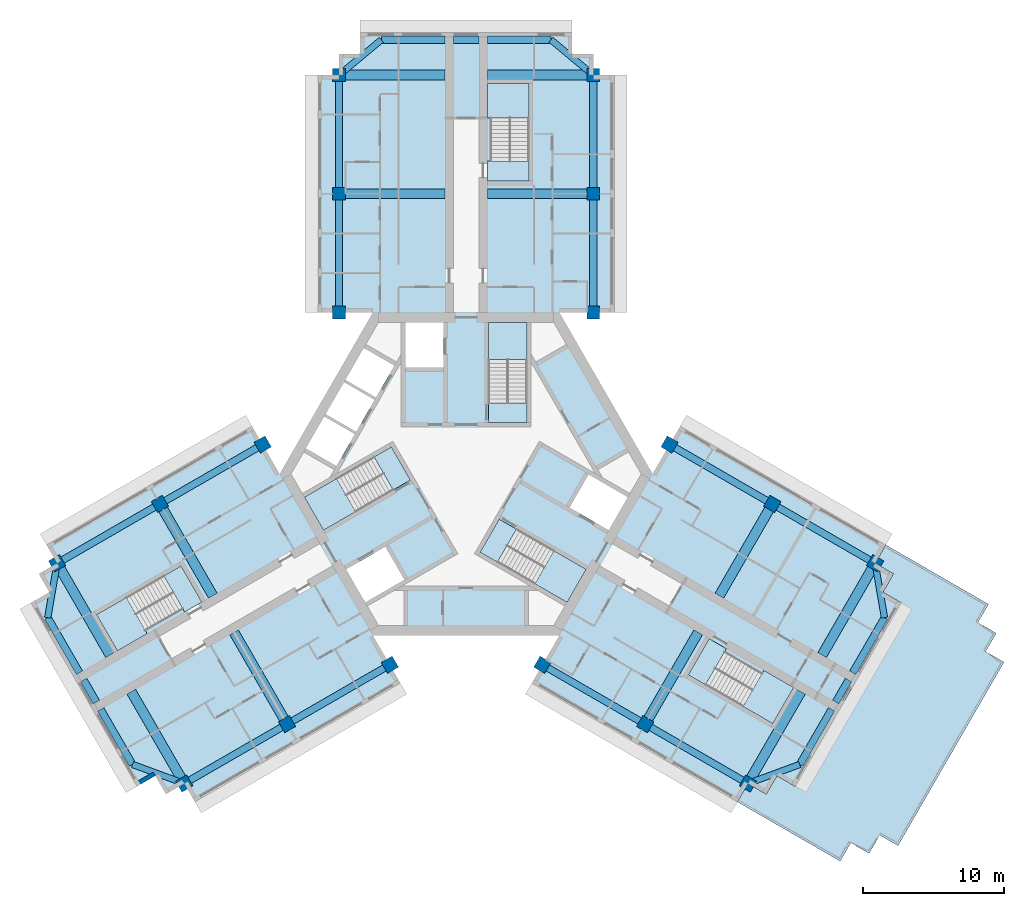
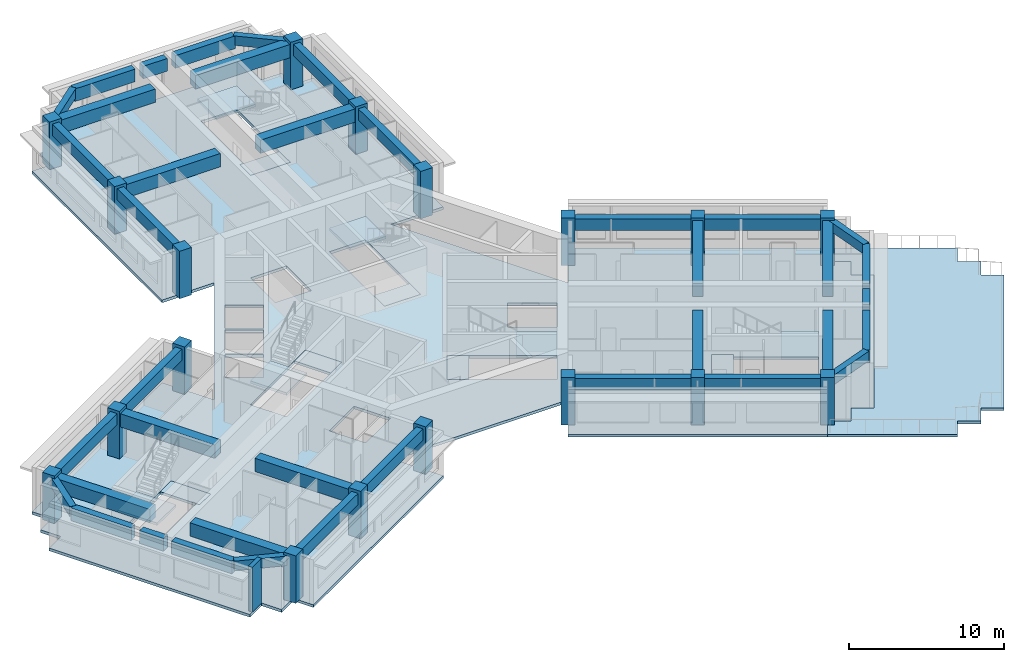
# One storey, part 1 of 11: 39 beams, 18 columns, 14 slabs, 1 wall, 6 elements without a shape of their own.
"""IFC4 building model written with IfcOpenShell, lengths in metres."""

from ifc_helpers import new_model, si_unit, direction, frame, frame_2d, origin, origin_2d, place, context, subcontext, project, spatial, polyline, rectangle, outline, extrude, material, layer, layer_set, material_profile, profile_set, type_object, element, aggregate, save


model = new_model("IFC4")

# Units and contexts
model_context = context("Model", 3, precision=1e-05, world=origin(), true_north=direction((0.0, 1.0)))
body_context = subcontext(model_context, "Body", "Model", "MODEL_VIEW")
ifc_project = project(units=[si_unit("LENGTHUNIT", "METRE"), si_unit("AREAUNIT", "SQUARE_METRE"), si_unit("VOLUMEUNIT", "CUBIC_METRE"), si_unit("PLANEANGLEUNIT", "RADIAN"), si_unit("MASSUNIT", "GRAM", prefix="KILO")], contexts=[model_context])

# Site, building, storey
site_placement = place(None, origin())
site = spatial("IfcSite", under=ifc_project, at=site_placement, CompositionType="ELEMENT")
building_placement = place(site_placement, origin())
building = spatial("IfcBuilding", under=site, at=building_placement, Name="Impinga Residences", CompositionType="ELEMENT")
storey_placement = place(building_placement, frame((0.0, 0.0, 248.5)))
storey = spatial("IfcBuildingStorey", under=building, at=storey_placement, Name="L62", CompositionType="ELEMENT", Elevation=248.5)

# Columns
ifc_material_1 = material(Name="Concrete C60/75", Category="concrete")
ifc_material_profile_1 = material_profile(ifc_material_1, rectangle(XDim=0.89990234375, YDim=0.89990234375, at=origin_2d()), Name="RC 900x900")
ifc_profile_set_1 = profile_set([ifc_material_profile_1], Name="Concrete C60/75")
column_type = type_object("IfcColumnType", Name="C4 900x900 column", PredefinedType="COLUMN", material=ifc_profile_set_1)
for number, where, z_axis, x_axis, name in (
    (1, (-9.0, 11.431640625, 0.0), (0.0, 0.0, 1.0), (1.0, 0.0, 0.0), "Column C4 N1/NA L62"),
    (2, (9.0, 11.431640625, 0.0), (0.0, 0.0, 1.0), (1.0, 0.0, 0.0), "Column C4 N1/NF L62"),
    (3, (-9.0, 19.83154296875, 0.0), (0.0, 0.0, 1.0), (1.0, 0.0, 0.0), "Column C4 N2/NA L62"),
    (4, (9.0, 19.83154296875, 0.0), (0.0, 0.0, 1.0), (1.0, 0.0, 0.0), "Column C4 N2/NF L62"),
    (5, (-9.0, 28.2314453125, 0.0), (0.0, 0.0, 1.0), (1.0, 0.0, 0.0), "Column C4 N3/NA L62"),
    (6, (9.0, 28.2314453125, 0.0), (0.0, 0.0, 1.0), (1.0, 0.0, 0.0), "Column C4 N3/NF L62"),
    (7, (-5.39990234375, -13.510009765625, 0.0), (0.0, 0.0, 1.0), (-0.5, 0.866025403784, 0.0), "Column C4 W1/WA L62"),
    (8, (-14.39990234375, 2.078369140625, 0.0), (0.0, 0.0, 1.0), (-0.5, 0.866025403784, 0.0), "Column C4 W1/WF L62"),
    (9, (-12.674560546875, -17.7099609375, 0.0), (0.0, 0.0, 1.0), (-0.5, 0.866025403784, 0.0), "Column C4 W2/WA L62"),
    (10, (-21.674560546875, -2.12158203125, 0.0), (0.0, 0.0, 1.0), (-0.5, 0.866025403784, 0.0), "Column C4 W2/WF L62"),
    (11, (-19.94921875, -21.909912109375, 0.0), (0.0, 0.0, 1.0), (-0.5, 0.866025403784, 0.0), "Column C4 W3/WA L62"),
    (12, (-28.94921875, -6.321533203125, 0.0), (0.0, 0.0, 1.0), (-0.5, 0.866025403784, 0.0), "Column C4 W3/WF L62"),
    (13, (14.39990234375, 2.078369140625, 0.0), (0.0, 0.0, 1.0), (-0.5, -0.866025403784, 0.0), "Column C4 E1/EA L62"),
    (14, (5.39990234375, -13.510009765625, 0.0), (0.0, 0.0, 1.0), (-0.5, -0.866025403784, 0.0), "Column C4 E1/EF L62"),
    (15, (21.674560546875, -2.12158203125, 0.0), (0.0, 0.0, 1.0), (-0.5, -0.866025403784, 0.0), "Column C4 E2/EA L62"),
    (16, (12.674560546875, -17.7099609375, 0.0), (0.0, 0.0, 1.0), (-0.5, -0.866025403784, 0.0), "Column C4 E2/EF L62"),
    (17, (28.94921875, -6.321533203125, 0.0), (0.0, 0.0, 1.0), (-0.5, -0.866025403784, 0.0), "Column C4 E3/EA L62"),
    (18, (19.94921875, -21.909912109375, 0.0), (0.0, 0.0, 1.0), (-0.5, -0.866025403784, 0.0), "Column C4 E3/EF L62"),
):
    element("IfcColumn", number, at=place(storey_placement, frame(where, z_axis=z_axis, x_axis=x_axis)), inside=storey, type_object=column_type, Name=name, PredefinedType="COLUMN", context=body_context, shape_type="SweptSolid", body=[
        extrude(rectangle(XDim=0.89990234375, YDim=0.89990234375, at=origin_2d()), origin(), (0.0, 0.0, 1.0), 3.75),
    ])

# Beams
ifc_material_profile_2 = material_profile(ifc_material_1, rectangle(XDim=0.449951171875, YDim=0.75, at=origin_2d()), Name="RC 450x750")
ifc_profile_set_2 = profile_set([ifc_material_profile_2], Name="Concrete C60/75")
beam_type_1 = type_object("IfcBeamType", Name="CB1 450x750 wing end cantilever beam", PredefinedType="BEAM", material=ifc_profile_set_2)
for number, where, z_axis, x_axis, name in (
    (19, (-9.0, 28.2314453125, 3.155029296875), (0.768221279597, 0.640184399664, 0.0), (-0.640184399664, 0.768221279597, 0.0), "Beam CB1 NB N3-NX level L63"),
    (20, (9.0, 28.2314453125, 3.155029296875), (-0.768221279597, 0.640184399664, 0.0), (-0.640184399664, -0.768221279597, 0.0), "Beam CB1 NE N3-NX level L63"),
    (21, (-19.94921875, -21.909912109375, 3.155029296875), (-0.93854043338, 0.345169313396, 0.0), (-0.345169313396, -0.93854043338, 0.0), "Beam CB1 WB W3-WX level L63"),
):
    element("IfcBeam", number, at=place(storey_placement, frame(where, z_axis=z_axis, x_axis=x_axis)), inside=storey, type_object=beam_type_1, Name=name, PredefinedType="BEAM", context=body_context, shape_type="SweptSolid", body=[
        extrude(rectangle(XDim=0.449951171875, YDim=0.75, at=origin_2d()), origin(), (0.0, 0.0, 1.0), 3.905029296875),
    ])
for number, where, z_axis, x_axis, name in (
    (22, (-28.94921875, -6.321533203125, 3.155029296875), (-0.170296298948, -0.985392901621, 0.0), (0.985392901621, -0.170296298948, 0.0), "Beam CB1 WE W3-WX level L63"),
    (23, (28.94921875, -6.321533203125, 3.155029296875), (0.170296298948, -0.985392901621, 0.0), (0.985392901621, 0.170296298948, 0.0), "Beam CB1 EB E3-EX level L63"),
):
    element("IfcBeam", number, at=place(storey_placement, frame(where, z_axis=z_axis, x_axis=x_axis)), inside=storey, type_object=beam_type_1, Name=name, PredefinedType="BEAM", context=body_context, shape_type="SweptSolid", body=[
        extrude(rectangle(XDim=0.449951171875, YDim=0.75, at=origin_2d()), origin(), (0.0, 0.0, 1.0), 3.9052734375),
    ])
beam_1_placement = place(storey_placement, frame((19.94921875, -21.909912109375, 3.155029296875), z_axis=(0.93854043338, 0.345169313396, 0.0), x_axis=(-0.345169313396, 0.93854043338, 0.0)))
element("IfcBeam", 24, at=beam_1_placement, inside=storey, type_object=beam_type_1, Name="Beam CB1 EE E3-EX level L63", PredefinedType="BEAM", context=body_context, shape_type="SweptSolid", body=[
    extrude(rectangle(XDim=0.449951171875, YDim=0.75, at=origin_2d()), origin(), (0.0, 0.0, 1.0), 3.905029296875),
])
ifc_material_profile_3 = material_profile(ifc_material_1, rectangle(XDim=0.699951171875, YDim=1.050048828125, at=origin_2d()), Name="RC 700x1050")
ifc_profile_set_3 = profile_set([ifc_material_profile_3], Name="Concrete C60/75")
beam_type_2 = type_object("IfcBeamType", Name="CG1 700x1050 cross girder on a wing bay line", PredefinedType="BEAM", material=ifc_profile_set_3)
for number, where, z_axis, x_axis, name in (
    (25, (-1.5, 19.83154296875, 3.0048828125), (-1.0, 0.0, 0.0), (0.0, -1.0, 0.0), "Beam CG1 N2 NC/NA level L63"),
    (26, (-1.5, 28.2314453125, 3.0048828125), (-1.0, 0.0, 0.0), (0.0, -1.0, 0.0), "Beam CG1 N3 NC/NA level L63"),
    (27, (1.5, 19.83154296875, 3.0048828125), (1.0, 0.0, 0.0), (0.0, 1.0, 0.0), "Beam CG1 N2 NC/NF level L63"),
    (28, (1.5, 28.2314453125, 3.0048828125), (1.0, 0.0, 0.0), (0.0, 1.0, 0.0), "Beam CG1 N3 NC/NF level L63"),
    (29, (-16.424560546875, -11.21484375, 3.0048828125), (0.500004234368, -0.866022959057, 0.0), (0.866022959057, 0.500004234368, 0.0), "Beam CG1 W2 WC/WA level L63"),
    (30, (-23.69921875, -15.414794921875, 3.0048828125), (0.500004234368, -0.866022959057, 0.0), (0.866022959057, 0.500004234368, 0.0), "Beam CG1 W3 WC/WA level L63"),
    (31, (-17.924560546875, -8.61669921875, 3.0048828125), (-0.500004234368, 0.866022959057, 0.0), (-0.866022959057, -0.500004234368, 0.0), "Beam CG1 W2 WC/WF level L63"),
    (32, (-25.19921875, -12.816650390625, 3.0048828125), (-0.500004234368, 0.866022959057, 0.0), (-0.866022959057, -0.500004234368, 0.0), "Beam CG1 W3 WC/WF level L63"),
    (33, (17.924560546875, -8.61669921875, 3.0048828125), (0.500004234368, 0.866022959057, 0.0), (-0.866022959057, 0.500004234368, 0.0), "Beam CG1 E2 EC/EA level L63"),
    (34, (25.19921875, -12.816650390625, 3.0048828125), (0.500004234368, 0.866022959057, 0.0), (-0.866022959057, 0.500004234368, 0.0), "Beam CG1 E3 EC/EA level L63"),
    (35, (16.424560546875, -11.21484375, 3.0048828125), (-0.500004234368, -0.866022959057, 0.0), (0.866022959057, -0.500004234368, 0.0), "Beam CG1 E2 EC/EF level L63"),
    (36, (23.69921875, -15.414794921875, 3.0048828125), (-0.500004234368, -0.866022959057, 0.0), (0.866022959057, -0.500004234368, 0.0), "Beam CG1 E3 EC/EF level L63"),
):
    element("IfcBeam", number, at=place(storey_placement, frame(where, z_axis=z_axis, x_axis=x_axis)), inside=storey, type_object=beam_type_2, Name=name, PredefinedType="BEAM", context=body_context, shape_type="SweptSolid", body=[
        extrude(rectangle(XDim=0.699951171875, YDim=1.050048828125, at=origin_2d()), origin(), (0.0, 0.0, 1.0), 7.5),
    ])
ifc_material_profile_4 = material_profile(ifc_material_1, rectangle(XDim=0.5, YDim=1.0, at=origin_2d()), Name="RC 500x1000")
ifc_profile_set_4 = profile_set([ifc_material_profile_4], Name="Concrete C60/75")
beam_type_3 = type_object("IfcBeamType", Name="EB1 500x1000 wing end beam", PredefinedType="BEAM", material=ifc_profile_set_4)
beam_2_placement = place(storey_placement, frame((-6.0, 30.7314453125, 3.030029296875), z_axis=(1.0, 0.0, 0.0), x_axis=(0.0, 1.0, 0.0)))
element("IfcBeam", 37, at=beam_2_placement, inside=storey, type_object=beam_type_3, Name="Beam EB1 NX2 level L63", PredefinedType="BEAM", context=body_context, shape_type="SweptSolid", body=[
    extrude(rectangle(XDim=0.5, YDim=1.0, at=origin_2d()), origin(), (0.0, 0.0, 1.0), 4.5),
])
beam_3_placement = place(storey_placement, frame((-0.89990234375, 30.7314453125, 3.030029296875), z_axis=(1.0, 0.0, 0.0), x_axis=(0.0, 1.0, 0.0)))
element("IfcBeam", 38, at=beam_3_placement, inside=storey, type_object=beam_type_3, Name="Beam EB1 NX2 level L63", PredefinedType="BEAM", context=body_context, shape_type="SweptSolid", body=[
    extrude(rectangle(XDim=0.5, YDim=1.0, at=origin_2d()), origin(), (0.0, 0.0, 1.0), 1.7998046875),
])
for number, where, z_axis, x_axis, name in (
    (39, (1.5, 30.7314453125, 3.030029296875), (1.0, 0.0, 0.0), (0.0, 1.0, 0.0), "Beam EB1 NX2 level L63"),
    (40, (-23.6142578125, -20.56201171875, 3.030029296875), (-0.499990139034, 0.866031096941, 0.0), (-0.866031096941, -0.499990139034, 0.0), "Beam EB1 WX2 level L63"),
):
    element("IfcBeam", number, at=place(storey_placement, frame(where, z_axis=z_axis, x_axis=x_axis)), inside=storey, type_object=beam_type_3, Name=name, PredefinedType="BEAM", context=body_context, shape_type="SweptSolid", body=[
        extrude(rectangle(XDim=0.5, YDim=1.0, at=origin_2d()), origin(), (0.0, 0.0, 1.0), 4.5),
    ])
beam_4_placement = place(storey_placement, frame((-26.164306640625, -16.145263671875, 3.030029296875), z_axis=(-0.499961193289, 0.866047807691, 0.0), x_axis=(-0.866047807691, -0.499961193289, 0.0)))
element("IfcBeam", 41, at=beam_4_placement, inside=storey, type_object=beam_type_3, Name="Beam EB1 WX2 level L63", PredefinedType="BEAM", context=body_context, shape_type="SweptSolid", body=[
    extrude(rectangle(XDim=0.5, YDim=1.0, at=origin_2d()), origin(), (0.0, 0.0, 1.0), 1.800048828125),
])
for number, where, z_axis, x_axis, name in (
    (42, (-27.3642578125, -14.066650390625, 3.030029296875), (-0.500013631625, 0.866017533419, 0.0), (-0.866017533419, -0.500013631625, 0.0), "Beam EB1 WX2 level L63"),
    (43, (29.6142578125, -10.169677734375, 3.030029296875), (-0.500013631625, -0.866017533419, 0.0), (0.866017533419, -0.500013631625, 0.0), "Beam EB1 EX2 level L63"),
):
    element("IfcBeam", number, at=place(storey_placement, frame(where, z_axis=z_axis, x_axis=x_axis)), inside=storey, type_object=beam_type_3, Name=name, PredefinedType="BEAM", context=body_context, shape_type="SweptSolid", body=[
        extrude(rectangle(XDim=0.5, YDim=1.0, at=origin_2d()), origin(), (0.0, 0.0, 1.0), 4.499755859375),
    ])
beam_5_placement = place(storey_placement, frame((27.064208984375, -14.58642578125, 3.030029296875), z_axis=(-0.499961193289, -0.866047807691, 0.0), x_axis=(0.866047807691, -0.499961193289, 0.0)))
element("IfcBeam", 44, at=beam_5_placement, inside=storey, type_object=beam_type_3, Name="Beam EB1 EX2 level L63", PredefinedType="BEAM", context=body_context, shape_type="SweptSolid", body=[
    extrude(rectangle(XDim=0.5, YDim=1.0, at=origin_2d()), origin(), (0.0, 0.0, 1.0), 1.800048828125),
])
beam_6_placement = place(storey_placement, frame((25.8642578125, -16.664794921875, 3.030029296875), z_axis=(-0.499990139034, -0.866031096941, 0.0), x_axis=(0.866031096941, -0.499990139034, 0.0)))
element("IfcBeam", 45, at=beam_6_placement, inside=storey, type_object=beam_type_3, Name="Beam EB1 EX2 level L63", PredefinedType="BEAM", context=body_context, shape_type="SweptSolid", body=[
    extrude(rectangle(XDim=0.5, YDim=1.0, at=origin_2d()), origin(), (0.0, 0.0, 1.0), 4.5),
])
ifc_material_profile_5 = material_profile(ifc_material_1, rectangle(XDim=0.5, YDim=0.89990234375, at=origin_2d()), Name="RC 500x900")
ifc_profile_set_5 = profile_set([ifc_material_profile_5], Name="Concrete C60/75")
beam_type_4 = type_object("IfcBeamType", Name="SB1 500x900 perimeter spandrel beam", PredefinedType="SPANDREL", material=ifc_profile_set_5)
for number, where, z_axis, x_axis, name in (
    (46, (-9.0, 11.431640625, 3.080078125), (0.0, 1.0, 0.0), (-1.0, 0.0, 0.0), "Beam SB1 NA N1-N2 level L63"),
    (47, (-9.0, 19.83154296875, 3.080078125), (0.0, 1.0, 0.0), (-1.0, 0.0, 0.0), "Beam SB1 NA N2-N3 level L63"),
    (48, (9.0, 11.431640625, 3.080078125), (0.0, 1.0, 0.0), (-1.0, 0.0, 0.0), "Beam SB1 NF N1-N2 level L63"),
    (49, (9.0, 19.83154296875, 3.080078125), (0.0, 1.0, 0.0), (-1.0, 0.0, 0.0), "Beam SB1 NF N2-N3 level L63"),
    (50, (-5.39990234375, -13.510009765625, 3.080078125), (-0.86602925447, -0.499993330357, 0.0), (0.499993330357, -0.86602925447, 0.0), "Beam SB1 WA W1-W2 level L63"),
    (51, (-12.674560546875, -17.7099609375, 3.080078125), (-0.86602925447, -0.499993330357, 0.0), (0.499993330357, -0.86602925447, 0.0), "Beam SB1 WA W2-W3 level L63"),
    (52, (-14.39990234375, 2.078369140625, 3.080078125), (-0.86602925447, -0.499993330357, 0.0), (0.499993330357, -0.86602925447, 0.0), "Beam SB1 WF W1-W2 level L63"),
    (53, (-21.674560546875, -2.12158203125, 3.080078125), (-0.86602925447, -0.499993330357, 0.0), (0.499993330357, -0.86602925447, 0.0), "Beam SB1 WF W2-W3 level L63"),
    (54, (14.39990234375, 2.078369140625, 3.080078125), (0.86602925447, -0.499993330357, 0.0), (0.499993330357, 0.86602925447, 0.0), "Beam SB1 EA E1-E2 level L63"),
    (55, (21.674560546875, -2.12158203125, 3.080078125), (0.86602925447, -0.499993330357, 0.0), (0.499993330357, 0.86602925447, 0.0), "Beam SB1 EA E2-E3 level L63"),
    (56, (5.39990234375, -13.510009765625, 3.080078125), (0.86602925447, -0.499993330357, 0.0), (0.499993330357, 0.86602925447, 0.0), "Beam SB1 EF E1-E2 level L63"),
    (57, (12.674560546875, -17.7099609375, 3.080078125), (0.86602925447, -0.499993330357, 0.0), (0.499993330357, 0.86602925447, 0.0), "Beam SB1 EF E2-E3 level L63"),
):
    element("IfcBeam", number, at=place(storey_placement, frame(where, z_axis=z_axis, x_axis=x_axis)), inside=storey, type_object=beam_type_4, Name=name, PredefinedType="SPANDREL", context=body_context, shape_type="SweptSolid", body=[
        extrude(rectangle(XDim=0.5, YDim=0.89990234375, at=origin_2d()), origin(), (0.0, 0.0, 1.0), 8.39990234375),
    ])

# Slab
ifc_layer_1 = layer(ifc_material_1, 0.219970703125)
ifc_layer_set_1 = layer_set([ifc_layer_1], Name="Concrete C60/75")
slab_type_1 = type_object("IfcSlabType", Name="FS1 tower floor slab 220", PredefinedType="FLOOR", material=ifc_layer_set_1)
slab_1_placement = place(storey_placement, frame((0.0, 0.0, -0.219970703125)))
element("IfcSlab", 58, at=slab_1_placement, inside=storey, type_object=slab_type_1, Name="Floor slab FS1 L62", PredefinedType="FLOOR", context=body_context, shape_type="SweptSolid", body=[
    extrude(outline(polyline([(-19.94921875, -21.909912109375), (-21.248291015625, -22.659912109375), (-21.998291015625, -21.36083984375), (-23.29736328125, -22.11083984375), (-30.79736328125, -9.12060546875), (-29.498291015625, -8.37060546875), (-30.248291015625, -7.071533203125), (-28.94921875, -6.321533203125), (-29.69921875, -5.0224609375), (-15.14990234375, 3.37744140625), (-13.199951171875, 0.0), (-6.60009765625, 11.431640625), (-10.5, 11.431640625), (-10.5, 28.2314453125), (-9.0, 28.2314453125), (-9.0, 29.7314453125), (-7.5, 29.7314453125), (-7.5, 31.2314453125), (7.5, 31.2314453125), (7.5, 29.7314453125), (9.0, 29.7314453125), (9.0, 28.2314453125), (10.5, 28.2314453125), (10.5, 11.431640625), (6.60009765625, 11.431640625), (13.199951171875, 0.0), (15.14990234375, 3.37744140625), (29.69921875, -5.0224609375), (28.94921875, -6.321533203125), (30.248291015625, -7.071533203125), (29.498291015625, -8.37060546875), (30.79736328125, -9.12060546875), (23.29736328125, -22.11083984375), (21.998291015625, -21.36083984375), (21.248291015625, -22.659912109375), (19.94921875, -21.909912109375), (19.19921875, -23.208984375), (4.64990234375, -14.80908203125), (9.900146484375, -5.7158203125), (6.60009765625, -11.431640625), (-6.60009765625, -11.431640625), (-9.900146484375, -5.7158203125), (-4.64990234375, -14.80908203125), (-19.19921875, -23.208984375), (-19.94921875, -21.909912109375)]), holes=[polyline([(-18.7041015625, -9.066650390625), (-18.8291015625, -8.850341796875), (-18.8291015625, -8.850341796875), (-20.178955078125, -6.511962890625), (-21.391357421875, -7.2119140625), (-21.391357421875, -7.2119140625), (-26.154541015625, -9.9619140625), (-24.8046875, -12.30029296875), (-20.04150390625, -9.55029296875), (-19.91650390625, -9.766845703125), (-18.7041015625, -9.066650390625)]), polyline([(-5.72119140625, -5.150634765625), (-8.493896484375, -6.75146484375), (-7.143798828125, -9.089599609375), (-4.37109375, -7.489013671875), (-5.72119140625, -5.150634765625)]), polyline([(-5.293701171875, 1.908935546875), (-11.44384765625, -1.641845703125), (-10.09375, -3.980224609375), (-3.943603515625, -0.429443359375), (-5.293701171875, 1.908935546875)]), polyline([(-7.878662109375, 2.816650390625), (-10.043701171875, 4.066650390625), (-11.34375, 1.81494140625), (-9.1787109375, 0.56494140625), (-7.878662109375, 2.816650390625)]), polyline([(-6.478759765625, 5.24169921875), (-8.643798828125, 6.49169921875), (-9.94384765625, 4.239990234375), (-7.77880859375, 2.989990234375), (-6.478759765625, 5.24169921875)]), polyline([(-6.378662109375, 5.414794921875), (-5.07861328125, 7.66650390625), (-7.243896484375, 8.91650390625), (-8.543701171875, 6.664794921875), (-6.378662109375, 5.414794921875)]), polyline([(-4.300048828125, 7.530029296875), (-1.60009765625, 7.530029296875), (-1.60009765625, 10.7314453125), (-4.300048828125, 10.7314453125), (-4.300048828125, 7.530029296875)]), polyline([(15.72900390625, -14.219482421875), (21.70458984375, -17.669677734375), (23.0546875, -15.331298828125), (18.29150390625, -12.581298828125), (18.41650390625, -12.36474609375), (17.2041015625, -11.664794921875), (15.72900390625, -14.219482421875)]), polyline([(0.99365234375, -5.538818359375), (7.143798828125, -9.089599609375), (8.493896484375, -6.75146484375), (2.34375, -3.20068359375), (0.99365234375, -5.538818359375)]), polyline([(7.3212890625, -2.37939453125), (10.09375, -3.980224609375), (11.44384765625, -1.641845703125), (8.671142578125, -0.041015625), (7.3212890625, -2.37939453125)]), polyline([(4.300048828125, 3.6298828125), (4.300048828125, 10.7314453125), (1.60009765625, 10.7314453125), (1.60009765625, 3.6298828125), (4.300048828125, 3.6298828125)]), polyline([(1.75, 22.131591796875), (1.5, 22.131591796875), (1.5, 20.7314453125), (1.75, 20.7314453125), (4.449951171875, 20.7314453125), (4.449951171875, 22.131591796875), (4.449951171875, 27.631591796875), (1.75, 27.631591796875), (1.75, 22.131591796875)])]), origin(), (0.0, 0.0, 1.0), 0.219970703125),
])

# Stair, slabs
ifc_material_2 = material(Name="Concrete C40/50", Category="concrete")
stair_type_1 = type_object("IfcStairType", Name="STR core stair 3750 storey, 24 risers", PredefinedType="HALF_TURN_STAIR", material=ifc_material_2)
stair_1_placement = place(storey_placement, origin())
stair_1 = element("IfcStair", 59, at=stair_1_placement, inside=storey, type_object=stair_type_1, Name="Stair ST1 L62", PredefinedType="HALF_TURN_STAIR")
ifc_layer_2 = layer(ifc_material_2, 0.199951171875)
ifc_layer_set_2 = layer_set([ifc_layer_2], Name="Concrete C40/50")
slab_type_2 = type_object("IfcSlabType", Name="LS1 stair landing 200", PredefinedType="LANDING", material=ifc_layer_set_2)
slab_2_placement = place(storey_placement, frame((0.0, 0.0, -0.199951171875)))
slab_2 = element("IfcSlab", 60, at=slab_2_placement, type_object=slab_type_2, Name="ST1 landing 1", PredefinedType="LANDING", context=body_context, shape_type="SweptSolid", body=[
    extrude(outline(polyline([(1.60009765625, 3.6298828125), (4.300048828125, 3.6298828125), (4.300048828125, 5.0400390625), (1.60009765625, 5.0400390625), (1.60009765625, 3.6298828125)])), origin(), (0.0, 0.0, 1.0), 0.199951171875),
])
slab_3_placement = place(storey_placement, frame((0.0, 0.0, 1.675048828125)))
slab_3 = element("IfcSlab", 61, at=slab_3_placement, type_object=slab_type_2, Name="ST1 landing 2", PredefinedType="LANDING", context=body_context, shape_type="SweptSolid", body=[
    extrude(outline(polyline([(1.60009765625, 8.10009765625), (4.300048828125, 8.10009765625), (4.300048828125, 10.7314453125), (1.60009765625, 10.7314453125), (1.60009765625, 8.10009765625)])), origin(), (0.0, 0.0, 1.0), 0.199951171875),
])
aggregate(stair_1, [slab_2, slab_3])

stair_2_placement = place(storey_placement, origin())
stair_2 = element("IfcStair", 62, at=stair_2_placement, inside=storey, type_object=stair_type_1, Name="Stair ST2 L62", PredefinedType="HALF_TURN_STAIR")
slab_4_placement = place(storey_placement, frame((0.0, 0.0, -0.199951171875)))
slab_4 = element("IfcSlab", 63, at=slab_4_placement, type_object=slab_type_2, Name="ST2 landing 1", PredefinedType="LANDING", context=body_context, shape_type="SweptSolid", body=[
    extrude(outline(polyline([(-3.943603515625, -0.429443359375), (-5.293701171875, 1.908935546875), (-6.5146484375, 1.203857421875), (-5.164794921875, -1.13427734375), (-3.943603515625, -0.429443359375)])), origin(), (0.0, 0.0, 1.0), 0.199951171875),
])
slab_5_placement = place(storey_placement, frame((0.0, 0.0, 1.675048828125)))
slab_5 = element("IfcSlab", 64, at=slab_5_placement, type_object=slab_type_2, Name="ST2 landing 2", PredefinedType="LANDING", context=body_context, shape_type="SweptSolid", body=[
    extrude(outline(polyline([(-7.814697265625, -2.664306640625), (-9.164794921875, -0.326171875), (-11.44384765625, -1.641845703125), (-10.09375, -3.980224609375), (-7.814697265625, -2.664306640625)])), origin(), (0.0, 0.0, 1.0), 0.199951171875),
])
aggregate(stair_2, [slab_4, slab_5])

stair_3_placement = place(storey_placement, origin())
stair_3 = element("IfcStair", 65, at=stair_3_placement, inside=storey, type_object=stair_type_1, Name="Stair ST3 L62", PredefinedType="HALF_TURN_STAIR")
slab_6_placement = place(storey_placement, frame((0.0, 0.0, -0.199951171875)))
slab_6 = element("IfcSlab", 66, at=slab_6_placement, type_object=slab_type_2, Name="ST3 landing 1", PredefinedType="LANDING", context=body_context, shape_type="SweptSolid", body=[
    extrude(outline(polyline([(2.34375, -3.20068359375), (0.99365234375, -5.538818359375), (2.21484375, -6.243896484375), (3.564697265625, -3.90576171875), (2.34375, -3.20068359375)])), origin(), (0.0, 0.0, 1.0), 0.199951171875),
])
slab_7_placement = place(storey_placement, frame((0.0, 0.0, 1.675048828125)))
slab_7 = element("IfcSlab", 67, at=slab_7_placement, type_object=slab_type_2, Name="ST3 landing 2", PredefinedType="LANDING", context=body_context, shape_type="SweptSolid", body=[
    extrude(outline(polyline([(6.21484375, -5.435546875), (4.86474609375, -7.77392578125), (7.143798828125, -9.089599609375), (8.493896484375, -6.75146484375), (6.21484375, -5.435546875)])), origin(), (0.0, 0.0, 1.0), 0.199951171875),
])
aggregate(stair_3, [slab_6, slab_7])

stair_type_2 = type_object("IfcStairType", Name="STR wing stair 3750 storey, 24 risers", PredefinedType="HALF_TURN_STAIR", material=ifc_material_2)
stair_4_placement = place(storey_placement, origin())
stair_4 = element("IfcStair", 68, at=stair_4_placement, inside=storey, type_object=stair_type_2, Name="Stair WS1 L62", PredefinedType="HALF_TURN_STAIR")
slab_8_placement = place(storey_placement, frame((0.0, 0.0, -0.199951171875)))
slab_8 = element("IfcSlab", 69, at=slab_8_placement, type_object=slab_type_2, Name="WS1 landing 1", PredefinedType="LANDING", context=body_context, shape_type="SweptSolid", body=[
    extrude(outline(polyline([(1.5, 20.7314453125), (4.449951171875, 20.7314453125), (4.449951171875, 22.1416015625), (1.5, 22.1416015625), (1.5, 20.7314453125)])), origin(), (0.0, 0.0, 1.0), 0.199951171875),
])
slab_9_placement = place(storey_placement, frame((0.0, 0.0, 1.675048828125)))
slab_9 = element("IfcSlab", 70, at=slab_9_placement, type_object=slab_type_2, Name="WS1 landing 2", PredefinedType="LANDING", context=body_context, shape_type="SweptSolid", body=[
    extrude(outline(polyline([(1.5, 25.201416015625), (4.449951171875, 25.201416015625), (4.449951171875, 27.631591796875), (1.5, 27.631591796875), (1.5, 25.201416015625)])), origin(), (0.0, 0.0, 1.0), 0.199951171875),
])
aggregate(stair_4, [slab_8, slab_9])

stair_5_placement = place(storey_placement, origin())
stair_5 = element("IfcStair", 71, at=stair_5_placement, inside=storey, type_object=stair_type_2, Name="Stair WS2 L62", PredefinedType="HALF_TURN_STAIR")
slab_10_placement = place(storey_placement, frame((0.0, 0.0, -0.199951171875)))
slab_10 = element("IfcSlab", 72, at=slab_10_placement, type_object=slab_type_2, Name="WS2 landing 1", PredefinedType="LANDING", context=body_context, shape_type="SweptSolid", body=[
    extrude(outline(polyline([(-18.7041015625, -9.066650390625), (-20.178955078125, -6.511962890625), (-21.400146484375, -7.217041015625), (-19.925048828125, -9.771728515625), (-18.7041015625, -9.066650390625)])), origin(), (0.0, 0.0, 1.0), 0.199951171875),
])
slab_11_placement = place(storey_placement, frame((0.0, 0.0, 1.675048828125)))
slab_11 = element("IfcSlab", 73, at=slab_11_placement, type_object=slab_type_2, Name="WS2 landing 2", PredefinedType="LANDING", context=body_context, shape_type="SweptSolid", body=[
    extrude(outline(polyline([(-22.5751953125, -11.3017578125), (-24.050048828125, -8.7470703125), (-26.154541015625, -9.9619140625), (-24.6796875, -12.516845703125), (-22.5751953125, -11.3017578125)])), origin(), (0.0, 0.0, 1.0), 0.199951171875),
])
aggregate(stair_5, [slab_10, slab_11])

stair_6_placement = place(storey_placement, origin())
stair_6 = element("IfcStair", 74, at=stair_6_placement, inside=storey, type_object=stair_type_2, Name="Stair WS3 L62", PredefinedType="HALF_TURN_STAIR")
slab_12_placement = place(storey_placement, frame((0.0, 0.0, -0.199951171875)))
slab_12 = element("IfcSlab", 75, at=slab_12_placement, type_object=slab_type_2, Name="WS3 landing 1", PredefinedType="LANDING", context=body_context, shape_type="SweptSolid", body=[
    extrude(outline(polyline([(17.2041015625, -11.664794921875), (15.72900390625, -14.219482421875), (16.9501953125, -14.924560546875), (18.425048828125, -12.369873046875), (17.2041015625, -11.664794921875)])), origin(), (0.0, 0.0, 1.0), 0.199951171875),
])
slab_13_placement = place(storey_placement, frame((0.0, 0.0, 1.675048828125)))
slab_13 = element("IfcSlab", 76, at=slab_13_placement, type_object=slab_type_2, Name="WS3 landing 2", PredefinedType="LANDING", context=body_context, shape_type="SweptSolid", body=[
    extrude(outline(polyline([(21.0751953125, -13.89990234375), (19.60009765625, -16.45458984375), (21.70458984375, -17.669677734375), (23.1796875, -15.11474609375), (21.0751953125, -13.89990234375)])), origin(), (0.0, 0.0, 1.0), 0.199951171875),
])
aggregate(stair_6, [slab_12, slab_13])

# Slab
ifc_layer_3 = layer(ifc_material_1, 0.219970703125)
ifc_layer_set_3 = layer_set([ifc_layer_3], Name="Concrete C60/75")
slab_type_3 = type_object("IfcSlabType", Name="TS2 setback terrace slab 220", PredefinedType="ROOF", material=ifc_layer_set_3)
slab_14_placement = place(storey_placement, frame((0.0, 0.0, -0.219970703125)))
element("IfcSlab", 77, at=slab_14_placement, inside=storey, type_object=slab_type_3, Name="Maintenance roof TS2 L62", PredefinedType="ROOF", context=body_context, shape_type="SweptSolid", body=[
    extrude(outline(polyline([(36.223876953125, -10.521484375), (37.52294921875, -11.271484375), (36.77294921875, -12.570556640625), (38.072021484375, -13.320556640625), (30.572021484375, -26.31103515625), (29.27294921875, -25.56103515625), (28.52294921875, -26.860107421875), (27.223876953125, -26.110107421875), (26.473876953125, -27.408935546875), (19.2001953125, -23.20947265625), (19.2001953125, -23.20947265625), (19.94970703125, -21.911376953125), (21.247802734375, -22.660888671875), (21.247802734375, -22.660888671875), (21.248046875, -22.660888671875), (21.248046875, -22.660888671875), (21.248046875, -22.660888671875), (21.248291015625, -22.660888671875), (21.248291015625, -22.660888671875), (21.24853515625, -22.660888671875), (21.24853515625, -22.660888671875), (21.24853515625, -22.660888671875), (21.248779296875, -22.660888671875), (21.248779296875, -22.660888671875), (21.248779296875, -22.660888671875), (21.2490234375, -22.66064453125), (21.2490234375, -22.66064453125), (21.2490234375, -22.66064453125), (21.2490234375, -22.660400390625), (21.99853515625, -21.3623046875), (23.296875, -22.11181640625), (23.296875, -22.11181640625), (23.296875, -22.11181640625), (23.297119140625, -22.11181640625), (23.297119140625, -22.112060546875), (23.29736328125, -22.112060546875), (23.29736328125, -22.112060546875), (23.29736328125, -22.112060546875), (23.297607421875, -22.11181640625), (23.297607421875, -22.11181640625), (23.2978515625, -22.11181640625), (23.2978515625, -22.11181640625), (23.2978515625, -22.11181640625), (23.298095703125, -22.111572265625), (23.298095703125, -22.111572265625), (23.298095703125, -22.111572265625), (23.298095703125, -22.111572265625), (30.798095703125, -9.12109375), (30.798095703125, -9.12109375), (30.79833984375, -9.120849609375), (30.79833984375, -9.120849609375), (30.79833984375, -9.12060546875), (30.79833984375, -9.12060546875), (30.79833984375, -9.12060546875), (30.79833984375, -9.120361328125), (30.79833984375, -9.120361328125), (30.79833984375, -9.1201171875), (30.798095703125, -9.1201171875), (30.798095703125, -9.1201171875), (30.798095703125, -9.119873046875), (30.798095703125, -9.119873046875), (30.7978515625, -9.119873046875), (30.7978515625, -9.119873046875), (30.7978515625, -9.11962890625), (29.49951171875, -8.3701171875), (30.2490234375, -7.072021484375), (30.249267578125, -7.072021484375), (30.249267578125, -7.07177734375), (30.249267578125, -7.07177734375), (30.249267578125, -7.07177734375), (30.249267578125, -7.071533203125), (30.249267578125, -7.071533203125), (30.249267578125, -7.0712890625), (30.249267578125, -7.0712890625), (30.249267578125, -7.0712890625), (30.249267578125, -7.071044921875), (30.2490234375, -7.071044921875), (30.2490234375, -7.071044921875), (30.2490234375, -7.07080078125), (30.2490234375, -7.07080078125), (30.248779296875, -7.07080078125), (30.248779296875, -7.070556640625), (28.95068359375, -6.3212890625), (29.7001953125, -5.02294921875), (36.973876953125, -9.222412109375), (36.223876953125, -10.521484375)])), origin(), (0.0, 0.0, 1.0), 0.219970703125),
])

# Wall
ifc_material_3 = material(Name="Terracotta rainscreen on blockwork", Category="masonry")
ifc_layer_4 = layer(ifc_material_3, 0.300048828125)
ifc_layer_set_4 = layer_set([ifc_layer_4], Name="EW1 external wall, terracotta rainscreen on blockwork 300")
wall_type = type_object("IfcWallType", Name="EW1 external wall, terracotta rainscreen on blockwork 300", PredefinedType="SOLIDWALL", material=ifc_layer_set_4)
wall_placement = place(storey_placement, frame((-22.07763671875, -21.233642578125, 0.0), z_axis=(0.0, 0.0, 1.0), x_axis=(-0.866059708757, -0.499940577336, 0.0)))
element("IfcWall", 78, at=wall_placement, inside=storey, type_object=wall_type, Name="External wall EW1 L62", PredefinedType="SOLIDWALL", context=body_context, shape_type="SweptSolid", body=[
    extrude(rectangle(XDim=1.195068359375, YDim=0.300048828125, at=frame_2d((0.59765625, 0.0))), origin(), (0.0, 0.0, 1.0), 3.530029296875),
])

save(model, "model.ifc")
